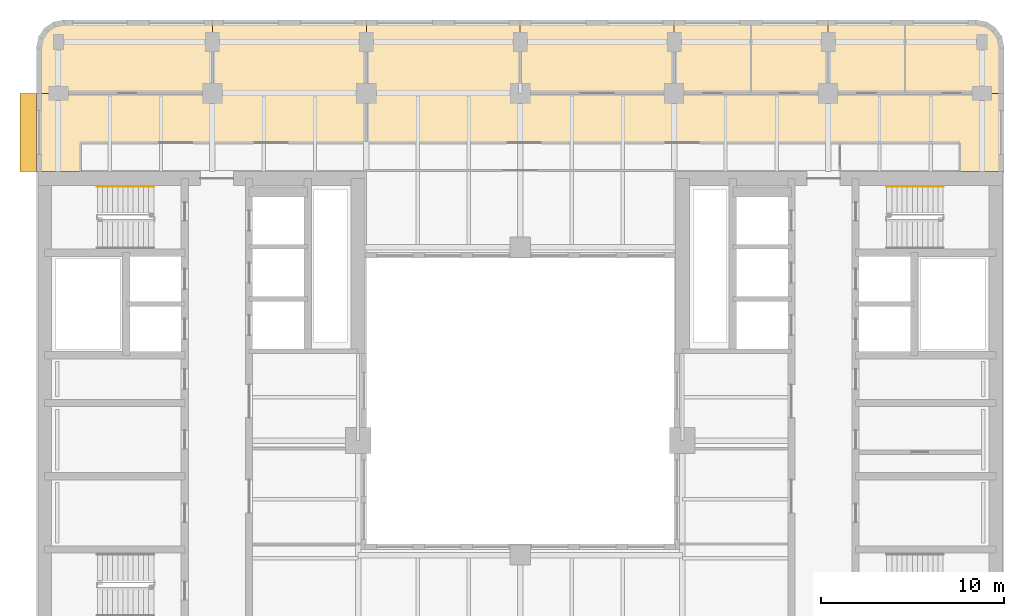
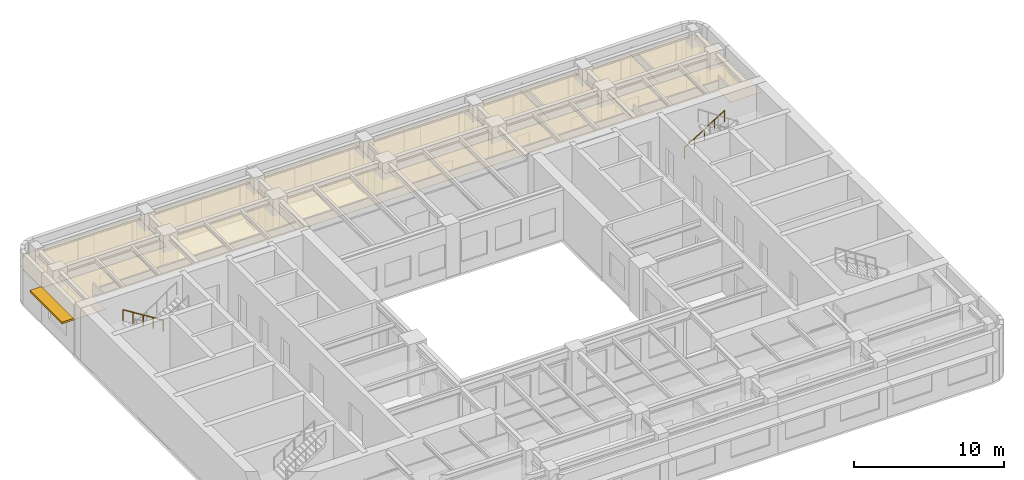
# One storey, part 11 of 11: 8 coverings, 2 railings, 1 shading device.
"""IFC4 building model written with IfcOpenShell, lengths in metres."""

from ifc_helpers import new_model, si_unit, direction, frame, origin, origin_2d, place, context, subcontext, project, spatial, polyline, rectangle, circle, outline, extrude, material, layer, layer_set, type_object, element, save


model = new_model("IFC4")

# Units and contexts
model_context = context("Model", 3, precision=1e-05, world=origin(), true_north=direction((0.0, 1.0)))
body_context = subcontext(model_context, "Body", "Model", "MODEL_VIEW")
ifc_project = project(units=[si_unit("LENGTHUNIT", "METRE"), si_unit("AREAUNIT", "SQUARE_METRE"), si_unit("VOLUMEUNIT", "CUBIC_METRE"), si_unit("PLANEANGLEUNIT", "RADIAN"), si_unit("MASSUNIT", "GRAM", prefix="KILO")], contexts=[model_context])

# Site, building, storey
site_placement = place(None, origin())
site = spatial("IfcSite", under=ifc_project, at=site_placement, CompositionType="ELEMENT")
building_placement = place(site_placement, origin())
building = spatial("IfcBuilding", under=site, at=building_placement, Name="Claustro Exchange Tower", CompositionType="ELEMENT")
storey_placement = place(building_placement, frame((0.0, 0.0, 236.39990234375)))
storey = spatial("IfcBuildingStorey", under=building, at=storey_placement, Name="L54", CompositionType="ELEMENT", Elevation=236.39990234375)

# Coverings
ifc_material_1 = material(Name="Perforated metal ceiling tiles", Category="steel")
ifc_layer_1 = layer(ifc_material_1, 0.030029296875)
ifc_layer_set_1 = layer_set([ifc_layer_1], Name="Perforated metal ceiling tiles")
covering_type_1 = type_object("IfcCoveringType", Name="CL1 suspended metal ceiling", PredefinedType="CEILING", material=ifc_layer_set_1)
covering_1_placement = place(storey_placement, frame((0.0, 0.0, 2.800048828125)))
element("IfcCovering", 1, at=covering_1_placement, inside=storey, type_object=covering_type_1, Name="Ceiling CL1 L54-20", PredefinedType="CEILING", context=body_context, shape_type="SweptSolid", body=[
    extrude(outline(polyline([(-1.125, 37.72509765625), (1.294921875, 37.72509765625), (1.294921875, 37.800048828125), (1.199951171875, 37.800048828125), (1.199951171875, 39.300048828125), (16.800048828125, 39.300048828125), (16.800048828125, 46.0), (8.39990234375, 46.0), (8.39990234375, 42.0), (-1.199951171875, 42.0), (-1.199951171875, 37.705078125), (-1.125, 37.705078125), (-1.125, 37.72509765625)])), origin(), (0.0, 0.0, 1.0), 0.030029296875),
])
ifc_material_2 = material(Name="Gypsum board ceiling", Category="gypsum board")
ifc_layer_2 = layer(ifc_material_2, 0.02490234375)
ifc_layer_set_2 = layer_set([ifc_layer_2], Name="Gypsum board ceiling")
covering_type_2 = type_object("IfcCoveringType", Name="CL2 plasterboard ceiling", PredefinedType="CEILING", material=ifc_layer_set_2)
covering_2_placement = place(storey_placement, frame((0.0, 0.0, 2.800048828125)))
element("IfcCovering", 2, at=covering_2_placement, inside=storey, type_object=covering_type_2, Name="Ceiling CL2 L54-19", PredefinedType="CEILING", context=body_context, shape_type="SweptSolid", body=[
    extrude(outline(polyline([(51.52490234375, 37.72509765625), (51.52490234375, 37.705078125), (51.60009765625, 37.705078125), (51.60009765625, 42.0), (25.199951171875, 42.0), (25.199951171875, 46.0), (16.800048828125, 46.0), (16.800048828125, 39.300048828125), (49.199951171875, 39.300048828125), (49.199951171875, 37.800048828125), (49.10498046875, 37.800048828125), (49.10498046875, 37.72509765625), (51.52490234375, 37.72509765625)])), origin(), (0.0, 0.0, 1.0), 0.025146484375),
])
covering_3_placement = place(storey_placement, frame((0.0, 0.0, 2.800048828125)))
element("IfcCovering", 3, at=covering_3_placement, inside=storey, type_object=covering_type_2, Name="Ceiling CL2 L54-21", PredefinedType="CEILING", context=body_context, shape_type="SweptSolid", body=[
    extrude(outline(polyline([(-1.199951171875, 44.5), (-1.199951171875, 42.0), (8.39990234375, 42.0), (8.39990234375, 46.0), (0.300048828125, 46.0), (-0.27392578125, 45.8857421875), (-0.7607421875, 45.560791015625), (-1.085693359375, 45.073974609375), (-1.199951171875, 44.5)])), origin(), (0.0, 0.0, 1.0), 0.025146484375),
])
covering_4_placement = place(storey_placement, frame((0.0, 0.0, 2.800048828125)))
element("IfcCovering", 4, at=covering_4_placement, inside=storey, type_object=covering_type_2, Name="Ceiling CL2 L54-22", PredefinedType="CEILING", context=body_context, shape_type="SweptSolid", body=[
    extrude(outline(polyline([(33.60009765625, 46.0), (25.199951171875, 46.0), (25.199951171875, 42.0), (33.60009765625, 42.0), (33.60009765625, 46.0)])), origin(), (0.0, 0.0, 1.0), 0.025146484375),
])
covering_5_placement = place(storey_placement, frame((0.0, 0.0, 2.800048828125)))
element("IfcCovering", 5, at=covering_5_placement, inside=storey, type_object=covering_type_2, Name="Ceiling CL2 L54-23", PredefinedType="CEILING", context=body_context, shape_type="SweptSolid", body=[
    extrude(outline(polyline([(37.800048828125, 46.0), (33.60009765625, 46.0), (33.60009765625, 42.0), (37.800048828125, 42.0), (37.800048828125, 46.0)])), origin(), (0.0, 0.0, 1.0), 0.025146484375),
])
covering_6_placement = place(storey_placement, frame((0.0, 0.0, 2.800048828125)))
element("IfcCovering", 6, at=covering_6_placement, inside=storey, type_object=covering_type_2, Name="Ceiling CL2 L54-24", PredefinedType="CEILING", context=body_context, shape_type="SweptSolid", body=[
    extrude(outline(polyline([(42.0, 46.0), (37.800048828125, 46.0), (37.800048828125, 42.0), (42.0, 42.0), (42.0, 46.0)])), origin(), (0.0, 0.0, 1.0), 0.025146484375),
])
covering_7_placement = place(storey_placement, frame((0.0, 0.0, 2.800048828125)))
element("IfcCovering", 7, at=covering_7_placement, inside=storey, type_object=covering_type_2, Name="Ceiling CL2 L54-25", PredefinedType="CEILING", context=body_context, shape_type="SweptSolid", body=[
    extrude(outline(polyline([(46.199951171875, 46.0), (42.0, 46.0), (42.0, 42.0), (46.199951171875, 42.0), (46.199951171875, 46.0)])), origin(), (0.0, 0.0, 1.0), 0.025146484375),
])
covering_8_placement = place(storey_placement, frame((0.0, 0.0, 2.800048828125)))
element("IfcCovering", 8, at=covering_8_placement, inside=storey, type_object=covering_type_2, Name="Ceiling CL2 L54-26", PredefinedType="CEILING", context=body_context, shape_type="SweptSolid", body=[
    extrude(outline(polyline([(50.10009765625, 46.0), (46.199951171875, 46.0), (46.199951171875, 42.0), (51.60009765625, 42.0), (51.60009765625, 44.5), (51.48583984375, 45.073974609375), (51.16064453125, 45.560791015625), (50.674072265625, 45.8857421875), (50.10009765625, 46.0)])), origin(), (0.0, 0.0, 1.0), 0.025146484375),
])

# Railings
ifc_material_3 = material(Name="Stainless steel tube", Category="steel")
railing_type = type_object("IfcRailingType", Name="HR1 900 stair handrail", PredefinedType="HANDRAIL", material=ifc_material_3)
railing_1_placement = place(storey_placement, frame((5.199951171875, 36.9150390625, 0.175048828125)))
element("IfcRailing", 9, at=railing_1_placement, inside=storey, type_object=railing_type, Name="Handrail HR1 stair STWB L54", PredefinedType="HANDRAIL", context=body_context, shape_type="SweptSolid", body=[
    extrude(circle(Radius=0.02392578125, at=origin_2d()), frame((0.0, 0.0, 0.8759765625), z_axis=(-0.847979421464, 0.0, 0.530029150871), x_axis=(0.0, -1.0, 0.0)), (0.0, 0.0, 1.0), 3.632080078125),
    extrude(circle(Radius=0.02099609375, at=origin_2d()), origin(), (0.0, 0.0, 1.0), 0.851806640625),
    extrude(circle(Radius=0.02099609375, at=origin_2d()), frame((-0.77001953125, 0.0, 0.481201171875)), (0.0, 0.0, 1.0), 0.851806640625),
    extrude(circle(Radius=0.02099609375, at=origin_2d()), frame((-1.5400390625, 0.0, 0.96240234375)), (0.0, 0.0, 1.0), 0.851806640625),
    extrude(circle(Radius=0.02099609375, at=origin_2d()), frame((-2.309814453125, 0.0, 1.44384765625)), (0.0, 0.0, 1.0), 0.851806640625),
    extrude(circle(Radius=0.02099609375, at=origin_2d()), frame((-3.079833984375, 0.0, 1.925048828125)), (0.0, 0.0, 1.0), 0.851806640625),
])
railing_2_placement = place(storey_placement, frame((45.199951171875, 36.9150390625, 0.175048828125)))
element("IfcRailing", 10, at=railing_2_placement, inside=storey, type_object=railing_type, Name="Handrail HR1 stair STEB L54", PredefinedType="HANDRAIL", context=body_context, shape_type="SweptSolid", body=[
    extrude(circle(Radius=0.02392578125, at=origin_2d()), frame((0.0, 0.0, 0.8759765625), z_axis=(0.847998304005, 0.0, 0.529998940003), x_axis=(0.0, 1.0, 0.0)), (0.0, 0.0, 1.0), 3.632080078125),
    extrude(circle(Radius=0.02099609375, at=origin_2d()), origin(), (0.0, 0.0, 1.0), 0.851806640625),
    extrude(circle(Radius=0.02099609375, at=origin_2d()), frame((0.77001953125, 0.0, 0.481201171875)), (0.0, 0.0, 1.0), 0.851806640625),
    extrude(circle(Radius=0.02099609375, at=origin_2d()), frame((1.5400390625, 0.0, 0.96240234375)), (0.0, 0.0, 1.0), 0.851806640625),
    extrude(circle(Radius=0.02099609375, at=origin_2d()), frame((2.31005859375, 0.0, 1.44384765625)), (0.0, 0.0, 1.0), 0.851806640625),
    extrude(circle(Radius=0.02099609375, at=origin_2d()), frame((3.080078125, 0.0, 1.925048828125)), (0.0, 0.0, 1.0), 0.851806640625),
])

# Shading device
ifc_material_4 = material(Name="Concrete HA-40 (C40/50), precast, white cement, acid-etched", Category="concrete")
ifc_layer_3 = layer(ifc_material_4, 0.14990234375)
ifc_layer_set_3 = layer_set([ifc_layer_3], Name="Concrete HA-40 (C40/50), precast, white cement, acid-etched")
shading_device_type = type_object("IfcShadingDeviceType", Name="SS2 900 precast concrete SUNSHADE", PredefinedType="SHUTTER", material=ifc_layer_set_3)
shading_device_placement = place(storey_placement, frame((-1.64990234375, 39.862548828125, 2.800048828125), z_axis=(0.0, 0.0, 1.0), x_axis=(0.0, 1.0, 0.0)))
element("IfcShadingDevice", 11, at=shading_device_placement, inside=storey, type_object=shading_device_type, Name="Precast SUNSHADE SS2 L54", PredefinedType="SHUTTER", context=body_context, shape_type="SweptSolid", body=[
    extrude(rectangle(XDim=4.27490234375, YDim=0.89990234375, at=origin_2d()), origin(), (0.0, 0.0, 1.0), 0.14990234375),
])

save(model, "model.ifc")
